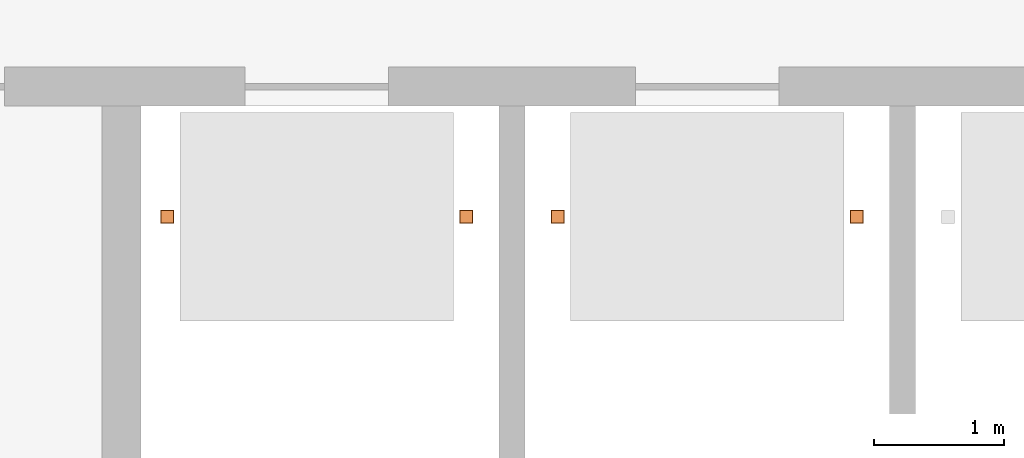
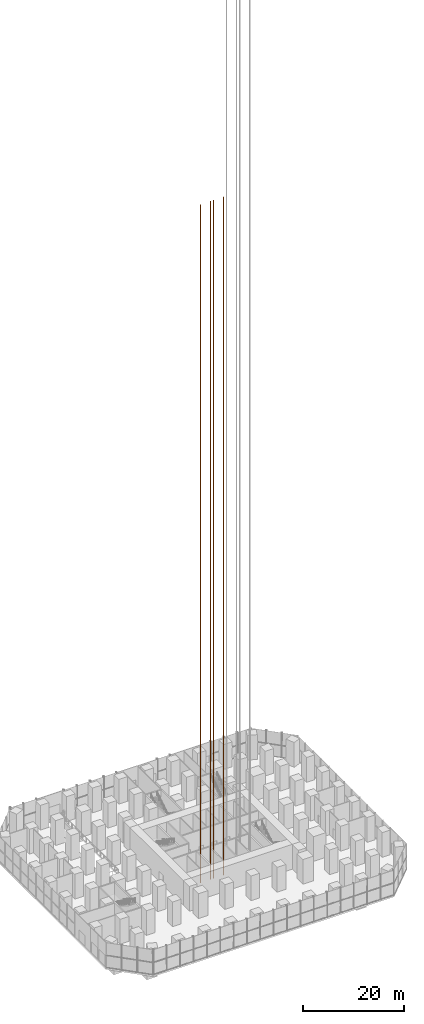
# One storey, part 18 of 21: 2 proxies.
"""IFC4 building model written with IfcOpenShell, lengths in metres."""

from ifc_helpers import new_model, si_unit, direction, frame, origin, origin_2d, place, context, subcontext, project, spatial, rectangle, extrude, material, type_object, element, save


model = new_model("IFC4")

# Units and contexts
model_context = context("Model", 3, precision=1e-05, world=origin(), true_north=direction((0.0, 1.0)))
body_context = subcontext(model_context, "Body", "Model", "MODEL_VIEW")
ifc_project = project(units=[si_unit("LENGTHUNIT", "METRE"), si_unit("AREAUNIT", "SQUARE_METRE"), si_unit("VOLUMEUNIT", "CUBIC_METRE"), si_unit("PLANEANGLEUNIT", "RADIAN"), si_unit("MASSUNIT", "GRAM", prefix="KILO")], contexts=[model_context])

# Site, building, storey
site_placement = place(None, origin())
site = spatial("IfcSite", under=ifc_project, at=site_placement, CompositionType="ELEMENT")
building_placement = place(site_placement, origin())
building = spatial("IfcBuilding", under=site, at=building_placement, Name="Highveld Stack Headquarters", CompositionType="ELEMENT")
storey_placement = place(building_placement, origin())
storey = spatial("IfcBuildingStorey", under=building, at=storey_placement, Name="L00", CompositionType="ELEMENT", Elevation=0.0)

# Proxies
ifc_material = material(Name="Galvanised steel guide rails", Category="steel")
building_element_proxy_type = type_object("IfcBuildingElementProxyType", Name="LIFT GUIDE RAIL FRAME", PredefinedType="USERDEFINED", material=ifc_material)
for number, where, z_axis, x_axis, name in (
    (1, (0.35009765625, -1.0, -1.2001953125), (0.0, 0.0, 1.0), (1.0, 0.0, 0.0), "Guide rails B1"),
    (2, (3.35009765625, -1.0, -1.2001953125), (0.0, 0.0, 1.0), (1.0, 0.0, 0.0), "Guide rails B2"),
):
    element("IfcBuildingElementProxy", number, at=place(storey_placement, frame(where, z_axis=z_axis, x_axis=x_axis)), inside=storey, type_object=building_element_proxy_type, Name=name, ObjectType="LIFT GUIDE RAILS", PredefinedType="USERDEFINED", context=body_context, shape_type="SweptSolid", body=[
        extrude(rectangle(XDim=0.10009765625, YDim=0.10009765625, at=origin_2d()), origin(), (0.0, 0.0, 1.0), 164.300048828125),
        extrude(rectangle(XDim=0.10009765625, YDim=0.10009765625, at=origin_2d()), frame((2.2998046875, 0.0, 0.0)), (0.0, 0.0, 1.0), 164.300048828125),
    ])

save(model, "model.ifc")
